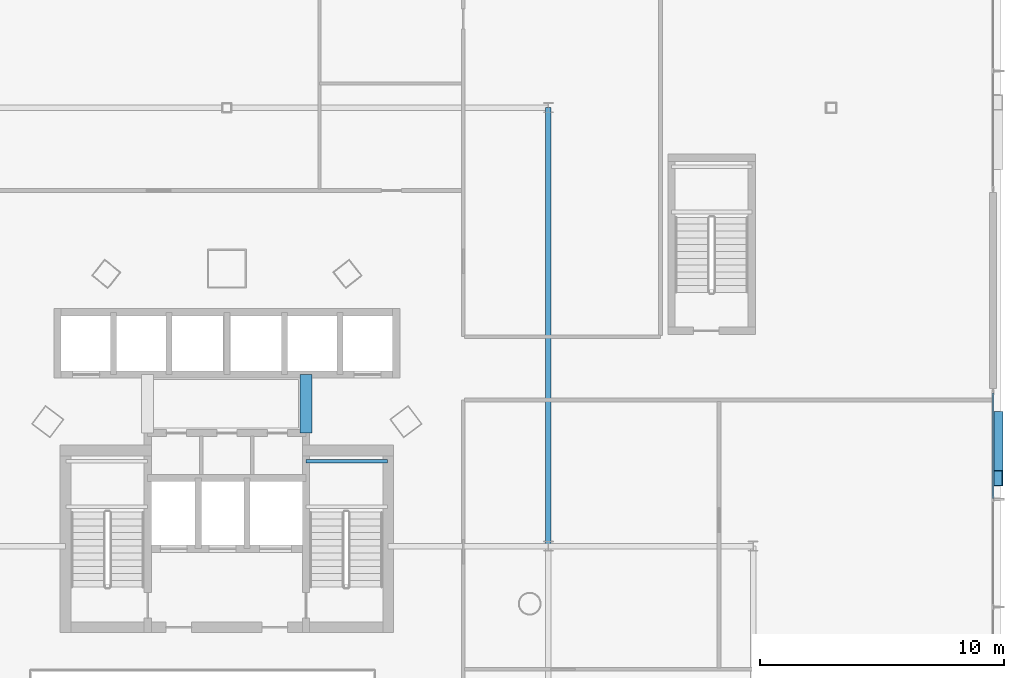
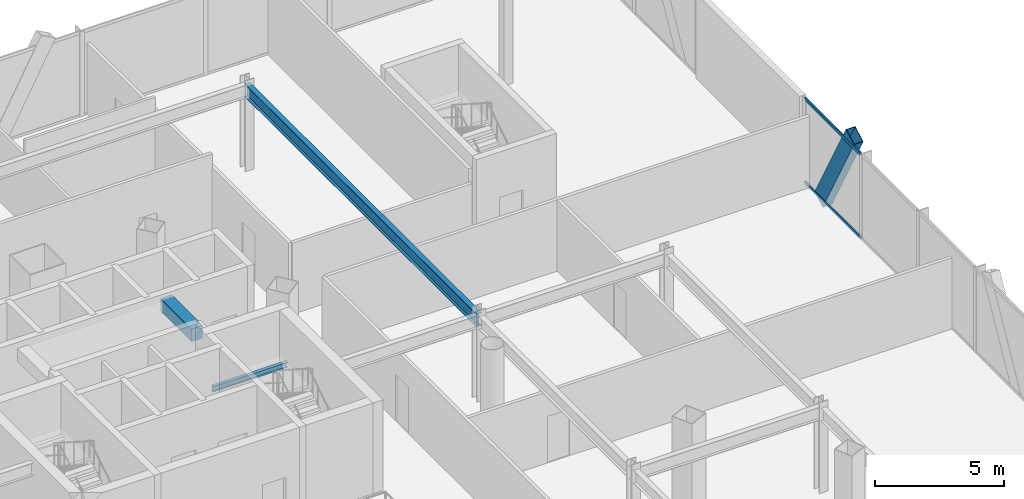
# One storey, part 27 of 42: 3 beams, 3 members, 1 element without a shape of its own.
"""IFC4 building model written with IfcOpenShell, lengths in metres."""

from ifc_helpers import new_model, si_unit, direction, frame, origin, origin_2d, place, context, subcontext, project, spatial, rectangle, hollow_rectangle, i_section, extrude, material, layer, layer_set, material_profile, profile_set, type_object, element, aggregate, save


model = new_model("IFC4")

# Units and contexts
model_context = context("Model", 3, precision=1e-05, world=origin(), true_north=direction((0.0, 1.0)))
body_context = subcontext(model_context, "Body", "Model", "MODEL_VIEW")
ifc_project = project(units=[si_unit("LENGTHUNIT", "METRE"), si_unit("AREAUNIT", "SQUARE_METRE"), si_unit("VOLUMEUNIT", "CUBIC_METRE"), si_unit("PLANEANGLEUNIT", "RADIAN"), si_unit("MASSUNIT", "GRAM", prefix="KILO")], contexts=[model_context])

# Site, building, storey
site_placement = place(None, origin())
site = spatial("IfcSite", under=ifc_project, at=site_placement, CompositionType="ELEMENT")
building_placement = place(site_placement, origin())
building = spatial("IfcBuilding", under=site, at=building_placement, Name="Orvanel Arch Residences", CompositionType="ELEMENT")
storey_placement = place(building_placement, frame((0.0, 0.0, 9.800048828125)))
storey = spatial("IfcBuildingStorey", under=building, at=storey_placement, Name="L02", CompositionType="ELEMENT", Elevation=9.800048828125)

# Beams
ifc_material_1 = material(Name="Structural steel AS/NZS 3679.1 Grade 300 (300 MPa)", Category="steel")
ifc_material_profile_1 = material_profile(ifc_material_1, i_section(OverallWidth=0.22900390625, OverallDepth=0.612060546875, WebThickness=0.011962890625, FlangeThickness=0.01953125, at=origin_2d()), Name="610UB125")
ifc_profile_set_1 = profile_set([ifc_material_profile_1], Name="Structural steel AS/NZS 3679.1 Grade 300 (300 MPa)")
beam_type_1 = type_object("IfcBeamType", Name="BG-610UB", PredefinedType="BEAM", material=ifc_profile_set_1)
beam_1_placement = place(storey_placement, frame((46.199951171875, 30.0, 3.7138671875), z_axis=(0.0, 1.0, 0.0), x_axis=(-1.0, 0.0, 0.0)))
element("IfcBeam", 1, at=beam_1_placement, inside=storey, type_object=beam_type_1, Name="L02 North-South Podium Girder XE46-N", PredefinedType="BEAM", context=body_context, shape_type="SweptSolid", body=[
    extrude(i_section(OverallWidth=0.22900390625, OverallDepth=0.612060546875, WebThickness=0.011962890625, FlangeThickness=0.01953125, at=origin_2d()), origin(), (0.0, 0.0, 1.0), 18.0),
])
ifc_material_profile_2 = material_profile(ifc_material_1, i_section(OverallWidth=0.14599609375, OverallDepth=0.251953125, WebThickness=0.006103515625, FlangeThickness=0.008544921875, at=origin_2d()), Name="250UB31.4")
ifc_profile_set_2 = profile_set([ifc_material_profile_2], Name="Structural steel AS/NZS 3679.1 Grade 300 (300 MPa)")
beam_type_2 = type_object("IfcBeamType", Name="BJ-250UB", PredefinedType="JOIST", material=ifc_profile_set_2)
beam_2_placement = place(storey_placement, frame((36.25, 33.47998046875, 1.823974609375), z_axis=(1.0, 0.0, 0.0), x_axis=(0.0, 1.0, 0.0)))
element("IfcBeam", 2, at=beam_2_placement, inside=storey, type_object=beam_type_2, Name="L02 ST-2 Half-Landing Support Beam 1.2", PredefinedType="JOIST", context=body_context, shape_type="SweptSolid", body=[
    extrude(i_section(OverallWidth=0.14599609375, OverallDepth=0.251953125, WebThickness=0.006103515625, FlangeThickness=0.008544921875, at=origin_2d()), origin(), (0.0, 0.0, 1.0), 3.35009765625),
])

# Member
ifc_material_2 = material(Name="Structural steel AS/NZS 3678 Grade 350", Category="steel")
ifc_material_profile_3 = material_profile(ifc_material_2, hollow_rectangle(XDim=0.419921875, YDim=0.719970703125, WallThickness=0.02490234375, at=origin_2d()), Name="RHS720x420x25")
ifc_profile_set_3 = profile_set([ifc_material_profile_3], Name="Structural steel AS/NZS 3678 Grade 350")
member_type_1 = type_object("IfcMemberType", Name="BR-720RHS-EXT", PredefinedType="BRACE", material=ifc_profile_set_3)
member_1_placement = place(storey_placement, frame((64.639892578125, 35.218994140625, -0.150146484375), z_axis=(0.0, -0.480018403674, 0.877258418104), x_axis=(1.0, 0.0, 0.0)))
element("IfcMember", 3, at=member_1_placement, inside=storey, type_object=member_type_1, Name="L02 Podium Multi-Storey V-Strut Pair E2 Leg 1", PredefinedType="BRACE", context=body_context, shape_type="SweptSolid", body=[
    extrude(hollow_rectangle(XDim=0.419921875, YDim=0.719970703125, WallThickness=0.02490234375, at=origin_2d()), origin(), (0.0, 0.0, 1.0), 5.07275390625),
])

# Beam
ifc_material_3 = material(Name="Concrete S65 (65 MPa)", Category="concrete")
ifc_material_profile_4 = material_profile(ifc_material_3, rectangle(XDim=0.5, YDim=0.60009765625, at=origin_2d()), Name="RC500x600")
ifc_profile_set_4 = profile_set([ifc_material_profile_4], Name="Concrete S65 (65 MPa)")
beam_type_3 = type_object("IfcBeamType", Name="CB-500x600", PredefinedType="LINTEL", material=ifc_profile_set_4)
beam_3_placement = place(storey_placement, frame((36.25, 34.64990234375, 3.719970703125), z_axis=(0.0, 1.0, 0.0), x_axis=(-1.0, 0.0, 0.0)))
element("IfcBeam", 4, at=beam_3_placement, inside=storey, type_object=beam_type_3, Name="L02 East Core Lobby Coupling Lintel Beam", PredefinedType="LINTEL", context=body_context, shape_type="SweptSolid", body=[
    extrude(rectangle(XDim=0.5, YDim=0.60009765625, at=origin_2d()), origin(), (0.0, 0.0, 1.0), 2.400146484375),
])

# Curtain wall, members
ifc_material_4 = material(Name="Bronze-anodised aluminium AA6063-T6", Category="aluminium")
ifc_layer = layer(ifc_material_4, 0.199951171875)
ifc_layer_set = layer_set([ifc_layer], Name="Bronze-anodised aluminium AA6063-T6")
curtain_wall_type = type_object("IfcCurtainWallType", Name="CW1-POD-SYS", PredefinedType="NOTDEFINED", material=ifc_layer_set)
curtain_wall_placement = place(storey_placement, origin())
curtain_wall = element("IfcCurtainWall", 5, at=curtain_wall_placement, inside=storey, type_object=curtain_wall_type, Name="L02 CW1-POD-SYS Unitised Curtain Wall", PredefinedType="NOTDEFINED")
ifc_material_profile_5 = material_profile(ifc_material_4, hollow_rectangle(XDim=0.06494140625, YDim=0.14990234375, WallThickness=0.00390625, at=origin_2d()), Name="ALU150x65x4")
ifc_profile_set_5 = profile_set([ifc_material_profile_5], Name="Bronze-anodised aluminium AA6063-T6")
member_type_2 = type_object("IfcMemberType", Name="TRN-150x65", PredefinedType="USERDEFINED", material=ifc_profile_set_5)
member_2_placement = place(storey_placement, frame((64.449951171875, 31.967529296875, 0.032470703125), z_axis=(0.0, 1.0, 0.0), x_axis=(-1.0, 0.0, 0.0)))
member_2 = element("IfcMember", 6, at=member_2_placement, type_object=member_type_2, Name="CW-S1 transom 4.1", ObjectType="TRANSOM", PredefinedType="USERDEFINED", context=body_context, shape_type="SweptSolid", body=[
    extrude(hollow_rectangle(XDim=0.06494140625, YDim=0.14990234375, WallThickness=0.00390625, at=origin_2d()), origin(), (0.0, 0.0, 1.0), 4.3173828125),
])
member_3_placement = place(storey_placement, frame((64.449951171875, 31.967529296875, 3.987548828125), z_axis=(0.0, 1.0, 0.0), x_axis=(-1.0, 0.0, 0.0)))
member_3 = element("IfcMember", 7, at=member_3_placement, type_object=member_type_2, Name="CW-S1 transom 4.2", ObjectType="TRANSOM", PredefinedType="USERDEFINED", context=body_context, shape_type="SweptSolid", body=[
    extrude(hollow_rectangle(XDim=0.06494140625, YDim=0.14990234375, WallThickness=0.00390625, at=origin_2d()), origin(), (0.0, 0.0, 1.0), 4.3173828125),
])
aggregate(curtain_wall, [member_2, member_3])

save(model, "model.ifc")
